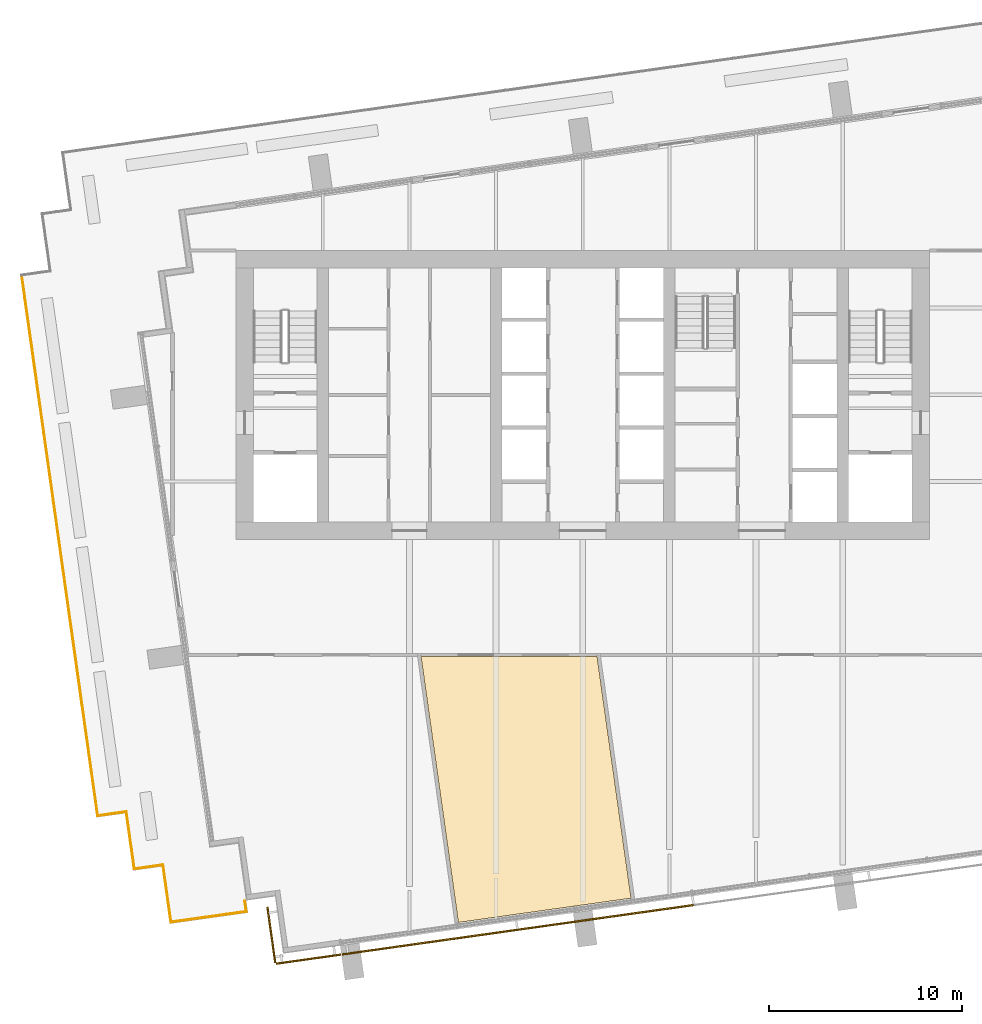
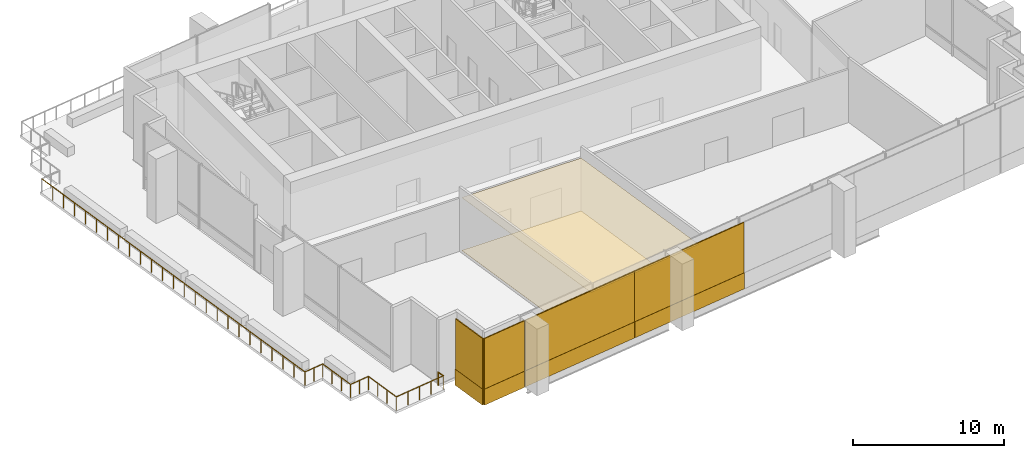
# One storey, part 10 of 18: 10 coverings, 7 railings.
"""IFC4 building model written with IfcOpenShell, lengths in metres."""

from ifc_helpers import new_model, si_unit, direction, frame, origin, origin_2d, place, context, subcontext, project, spatial, polyline, rectangle, outline, extrude, material, layer, layer_set, type_object, element, save


model = new_model("IFC4")

# Units and contexts
model_context = context("Model", 3, precision=1e-05, world=origin(), true_north=direction((0.0, 1.0)))
body_context = subcontext(model_context, "Body", "Model", "MODEL_VIEW")
ifc_project = project(units=[si_unit("LENGTHUNIT", "METRE"), si_unit("AREAUNIT", "SQUARE_METRE"), si_unit("VOLUMEUNIT", "CUBIC_METRE"), si_unit("PLANEANGLEUNIT", "RADIAN"), si_unit("MASSUNIT", "GRAM", prefix="KILO")], contexts=[model_context])

# Site, building, storey
site_placement = place(None, origin())
site = spatial("IfcSite", under=ifc_project, at=site_placement, CompositionType="ELEMENT")
building_placement = place(site_placement, origin())
building = spatial("IfcBuilding", under=site, at=building_placement, Name="Rattan Terrace Tower", CompositionType="ELEMENT")
storey_placement = place(building_placement, frame((0.0, 0.0, 208.10009765625)))
storey = spatial("IfcBuildingStorey", under=building, at=storey_placement, Name="L47", CompositionType="ELEMENT", Elevation=208.10009765625)

# Railings
ifc_material_1 = material(Name="Stainless steel 316", Category="steel")
railing_type = type_object("IfcRailingType", Name="Facade Guard 1100", PredefinedType="GUARDRAIL", material=ifc_material_1)
railing_1_placement = place(storey_placement, frame((-17.541015625, -26.2880859375, 0.0)))
element("IfcRailing", 1, at=railing_1_placement, inside=storey, type_object=railing_type, Name="Terrace guard L47-1-1", PredefinedType="GUARDRAIL", context=body_context, shape_type="SweptSolid", body=[
    extrude(rectangle(XDim=0.048095703125, YDim=0.048095703125, at=origin_2d()), frame((0.0, 0.0, 1.076171875), z_axis=(0.140535608982, -0.990075624691, 0.0), x_axis=(0.990075624691, 0.140535608982, 0.0)), (0.0, 0.0, 1.0), 0.540283203125),
    extrude(rectangle(XDim=0.0419921875, YDim=0.0419921875, at=origin_2d()), origin(), (0.0, 0.0, 1.0), 1.052001953125),
])
railing_2_placement = place(storey_placement, frame((-17.465087890625, -26.822998046875, 0.0)))
element("IfcRailing", 2, at=railing_2_placement, inside=storey, type_object=railing_type, Name="Terrace guard L47-1-2", PredefinedType="GUARDRAIL", context=body_context, shape_type="SweptSolid", body=[
    extrude(rectangle(XDim=0.048095703125, YDim=0.048095703125, at=origin_2d()), frame((0.0, 0.0, 1.076171875), z_axis=(-0.990283659827, -0.139062119496, 0.0), x_axis=(0.139062119496, -0.990283659827, 0.0)), (0.0, 0.0, 1.0), 1.02880859375),
    extrude(rectangle(XDim=0.048095703125, YDim=0.048095703125, at=origin_2d()), frame((-1.018798828125, -0.14306640625, 1.076171875), z_axis=(-0.990236749674, -0.139395766062, 0.0), x_axis=(0.139395766062, -0.990236749674, 0.0)), (0.0, 0.0, 1.0), 2.919677734375),
    extrude(rectangle(XDim=0.0419921875, YDim=0.0419921875, at=origin_2d()), origin(), (0.0, 0.0, 1.0), 1.052001953125),
    extrude(rectangle(XDim=0.0419921875, YDim=0.0419921875, at=origin_2d()), frame((-1.018798828125, -0.14306640625, 0.0)), (0.0, 0.0, 1.0), 1.052001953125),
    extrude(rectangle(XDim=0.0419921875, YDim=0.0419921875, at=origin_2d()), frame((-1.982421875, -0.27880859375, 0.0)), (0.0, 0.0, 1.0), 1.052001953125),
    extrude(rectangle(XDim=0.0419921875, YDim=0.0419921875, at=origin_2d()), frame((-2.9462890625, -0.414306640625, 0.0)), (0.0, 0.0, 1.0), 1.052001953125),
])
railing_3_placement = place(storey_placement, frame((-21.375, -27.373046875, 0.0)))
element("IfcRailing", 3, at=railing_3_placement, inside=storey, type_object=railing_type, Name="Terrace guard L47-1-3", PredefinedType="GUARDRAIL", context=body_context, shape_type="SweptSolid", body=[
    extrude(rectangle(XDim=0.048095703125, YDim=0.048095703125, at=origin_2d()), frame((0.0, 0.0, 1.076171875), z_axis=(-0.139313431826, 0.990248336385, 0.0), x_axis=(-0.990248336385, -0.139313431826, 0.0)), (0.0, 0.0, 1.0), 3.000244140625),
    extrude(rectangle(XDim=0.0419921875, YDim=0.0419921875, at=origin_2d()), origin(), (0.0, 0.0, 1.0), 1.052001953125),
    extrude(rectangle(XDim=0.0419921875, YDim=0.0419921875, at=origin_2d()), frame((-0.139404296875, 0.990234375, 0.0)), (0.0, 0.0, 1.0), 1.052001953125),
    extrude(rectangle(XDim=0.0419921875, YDim=0.0419921875, at=origin_2d()), frame((-0.278564453125, 1.980712890625, 0.0)), (0.0, 0.0, 1.0), 1.052001953125),
])
railing_4_placement = place(storey_placement, frame((-21.79296875, -24.402099609375, 0.0)))
element("IfcRailing", 4, at=railing_4_placement, inside=storey, type_object=railing_type, Name="Terrace guard L47-1-4", PredefinedType="GUARDRAIL", context=body_context, shape_type="SweptSolid", body=[
    extrude(rectangle(XDim=0.048095703125, YDim=0.048095703125, at=origin_2d()), frame((0.0, 0.0, 1.076171875), z_axis=(-0.990243596651, -0.13934711799, 0.0), x_axis=(0.13934711799, -0.990243596651, 0.0)), (0.0, 0.0, 1.0), 1.499755859375),
    extrude(rectangle(XDim=0.0419921875, YDim=0.0419921875, at=origin_2d()), origin(), (0.0, 0.0, 1.0), 1.052001953125),
    extrude(rectangle(XDim=0.0419921875, YDim=0.0419921875, at=origin_2d()), frame((-0.74267578125, -0.1044921875, 0.0)), (0.0, 0.0, 1.0), 1.052001953125),
])
railing_5_placement = place(storey_placement, frame((-23.278076171875, -24.611083984375, 0.0)))
element("IfcRailing", 5, at=railing_5_placement, inside=storey, type_object=railing_type, Name="Terrace guard L47-1-5", PredefinedType="GUARDRAIL", context=body_context, shape_type="SweptSolid", body=[
    extrude(rectangle(XDim=0.048095703125, YDim=0.048095703125, at=origin_2d()), frame((0.0, 0.0, 1.076171875), z_axis=(-0.139302206688, 0.990249915532, 0.0), x_axis=(-0.990249915532, -0.139302206688, 0.0)), (0.0, 0.0, 1.0), 3.00048828125),
    extrude(rectangle(XDim=0.0419921875, YDim=0.0419921875, at=origin_2d()), origin(), (0.0, 0.0, 1.0), 1.052001953125),
    extrude(rectangle(XDim=0.0419921875, YDim=0.0419921875, at=origin_2d()), frame((-0.139404296875, 0.990478515625, 0.0)), (0.0, 0.0, 1.0), 1.052001953125),
    extrude(rectangle(XDim=0.0419921875, YDim=0.0419921875, at=origin_2d()), frame((-0.278564453125, 1.980712890625, 0.0)), (0.0, 0.0, 1.0), 1.052001953125),
])
railing_6_placement = place(storey_placement, frame((-23.696044921875, -21.639892578125, 0.0)))
element("IfcRailing", 6, at=railing_6_placement, inside=storey, type_object=railing_type, Name="Terrace guard L47-1-6", PredefinedType="GUARDRAIL", context=body_context, shape_type="SweptSolid", body=[
    extrude(rectangle(XDim=0.048095703125, YDim=0.048095703125, at=origin_2d()), frame((0.0, 0.0, 1.076171875), z_axis=(-0.990217952567, -0.139529231396, 0.0), x_axis=(0.139529231396, -0.990217952567, 0.0)), (0.0, 0.0, 1.0), 1.49951171875),
    extrude(rectangle(XDim=0.0419921875, YDim=0.0419921875, at=origin_2d()), origin(), (0.0, 0.0, 1.0), 1.052001953125),
    extrude(rectangle(XDim=0.0419921875, YDim=0.0419921875, at=origin_2d()), frame((-0.742431640625, -0.1044921875, 0.0)), (0.0, 0.0, 1.0), 1.052001953125),
])
railing_7_placement = place(storey_placement, frame((-25.180908203125, -21.84912109375, 0.0)))
element("IfcRailing", 7, at=railing_7_placement, inside=storey, type_object=railing_type, Name="Terrace guard L47-1-7", PredefinedType="GUARDRAIL", context=body_context, shape_type="SweptSolid", body=[
    extrude(rectangle(XDim=0.048095703125, YDim=0.048095703125, at=origin_2d()), frame((0.0, 0.0, 1.076171875), z_axis=(-0.139199527658, 0.990264354352, 0.0), x_axis=(-0.990264354352, -0.139199527658, 0.0)), (0.0, 0.0, 1.0), 28.341064453125),
    extrude(rectangle(XDim=0.0419921875, YDim=0.0419921875, at=origin_2d()), origin(), (0.0, 0.0, 1.0), 1.052001953125),
    extrude(rectangle(XDim=0.0419921875, YDim=0.0419921875, at=origin_2d()), frame((-0.164306640625, 1.16943359375, 0.0)), (0.0, 0.0, 1.0), 1.052001953125),
    extrude(rectangle(XDim=0.0419921875, YDim=0.0419921875, at=origin_2d()), frame((-0.328857421875, 2.3388671875, 0.0)), (0.0, 0.0, 1.0), 1.052001953125),
    extrude(rectangle(XDim=0.0419921875, YDim=0.0419921875, at=origin_2d()), frame((-0.4931640625, 3.508056640625, 0.0)), (0.0, 0.0, 1.0), 1.052001953125),
    extrude(rectangle(XDim=0.0419921875, YDim=0.0419921875, at=origin_2d()), frame((-0.657470703125, 4.677490234375, 0.0)), (0.0, 0.0, 1.0), 1.052001953125),
    extrude(rectangle(XDim=0.0419921875, YDim=0.0419921875, at=origin_2d()), frame((-0.82177734375, 5.846923828125, 0.0)), (0.0, 0.0, 1.0), 1.052001953125),
    extrude(rectangle(XDim=0.0419921875, YDim=0.0419921875, at=origin_2d()), frame((-0.986328125, 7.016357421875, 0.0)), (0.0, 0.0, 1.0), 1.052001953125),
    extrude(rectangle(XDim=0.0419921875, YDim=0.0419921875, at=origin_2d()), frame((-1.150634765625, 8.185791015625, 0.0)), (0.0, 0.0, 1.0), 1.052001953125),
    extrude(rectangle(XDim=0.0419921875, YDim=0.0419921875, at=origin_2d()), frame((-1.31494140625, 9.35498046875, 0.0)), (0.0, 0.0, 1.0), 1.052001953125),
    extrude(rectangle(XDim=0.0419921875, YDim=0.0419921875, at=origin_2d()), frame((-1.4794921875, 10.5244140625, 0.0)), (0.0, 0.0, 1.0), 1.052001953125),
    extrude(rectangle(XDim=0.0419921875, YDim=0.0419921875, at=origin_2d()), frame((-1.643798828125, 11.69384765625, 0.0)), (0.0, 0.0, 1.0), 1.052001953125),
    extrude(rectangle(XDim=0.0419921875, YDim=0.0419921875, at=origin_2d()), frame((-1.80810546875, 12.86328125, 0.0)), (0.0, 0.0, 1.0), 1.052001953125),
    extrude(rectangle(XDim=0.0419921875, YDim=0.0419921875, at=origin_2d()), frame((-1.97265625, 14.03271484375, 0.0)), (0.0, 0.0, 1.0), 1.052001953125),
    extrude(rectangle(XDim=0.0419921875, YDim=0.0419921875, at=origin_2d()), frame((-2.136962890625, 15.201904296875, 0.0)), (0.0, 0.0, 1.0), 1.052001953125),
    extrude(rectangle(XDim=0.0419921875, YDim=0.0419921875, at=origin_2d()), frame((-2.30126953125, 16.371337890625, 0.0)), (0.0, 0.0, 1.0), 1.052001953125),
    extrude(rectangle(XDim=0.0419921875, YDim=0.0419921875, at=origin_2d()), frame((-2.465576171875, 17.540771484375, 0.0)), (0.0, 0.0, 1.0), 1.052001953125),
    extrude(rectangle(XDim=0.0419921875, YDim=0.0419921875, at=origin_2d()), frame((-2.630126953125, 18.710205078125, 0.0)), (0.0, 0.0, 1.0), 1.052001953125),
    extrude(rectangle(XDim=0.0419921875, YDim=0.0419921875, at=origin_2d()), frame((-2.79443359375, 19.87939453125, 0.0)), (0.0, 0.0, 1.0), 1.052001953125),
    extrude(rectangle(XDim=0.0419921875, YDim=0.0419921875, at=origin_2d()), frame((-2.958740234375, 21.048828125, 0.0)), (0.0, 0.0, 1.0), 1.052001953125),
    extrude(rectangle(XDim=0.0419921875, YDim=0.0419921875, at=origin_2d()), frame((-3.123291015625, 22.21826171875, 0.0)), (0.0, 0.0, 1.0), 1.052001953125),
    extrude(rectangle(XDim=0.0419921875, YDim=0.0419921875, at=origin_2d()), frame((-3.28759765625, 23.3876953125, 0.0)), (0.0, 0.0, 1.0), 1.052001953125),
    extrude(rectangle(XDim=0.0419921875, YDim=0.0419921875, at=origin_2d()), frame((-3.451904296875, 24.55712890625, 0.0)), (0.0, 0.0, 1.0), 1.052001953125),
    extrude(rectangle(XDim=0.0419921875, YDim=0.0419921875, at=origin_2d()), frame((-3.6162109375, 25.726318359375, 0.0)), (0.0, 0.0, 1.0), 1.052001953125),
    extrude(rectangle(XDim=0.0419921875, YDim=0.0419921875, at=origin_2d()), frame((-3.78076171875, 26.895751953125, 0.0)), (0.0, 0.0, 1.0), 1.052001953125),
])

# Coverings
ifc_material_2 = material(Name="Solid terracotta", Category="masonry")
ifc_layer_1 = layer(ifc_material_2, 0.090087890625)
ifc_layer_set_1 = layer_set([ifc_layer_1], Name="Facade Terracotta Band Panel HZ")
covering_type_1 = type_object("IfcCoveringType", Name="Facade Terracotta Band Panel HZ", PredefinedType="CLADDING", material=ifc_layer_set_1)
covering_1_placement = place(storey_placement, frame((-16.168701171875, -28.035888671875, -0.18994140625), z_axis=(0.0, 0.0, 1.0), x_axis=(0.139321220646, -0.990247240581, 0.0)))
element("IfcCovering", 8, at=covering_1_placement, inside=storey, type_object=covering_type_1, Name="OUTER SKIN panel L47-13A", PredefinedType="CLADDING", context=body_context, shape_type="SweptSolid", body=[
    extrude(rectangle(XDim=2.920166015625, YDim=0.090087890625, at=origin_2d()), origin(), (0.0, 0.0, 1.0), 1.300048828125),
])
covering_2_placement = place(storey_placement, frame((-14.234619140625, -29.294189453125, -0.18994140625), z_axis=(0.0, 0.0, 1.0), x_axis=(0.990293172258, 0.138994363123, 0.0)))
element("IfcCovering", 9, at=covering_2_placement, inside=storey, type_object=covering_type_1, Name="OUTER SKIN panel L47-14A", PredefinedType="CLADDING", context=body_context, shape_type="SweptSolid", body=[
    extrude(rectangle(XDim=3.3701171875, YDim=0.090087890625, at=origin_2d()), origin(), (0.0, 0.0, 1.0), 1.300048828125),
])
covering_3_placement = place(storey_placement, frame((-7.94091796875, -28.409912109375, -0.18994140625), z_axis=(0.0, 0.0, 1.0), x_axis=(0.990267457022, 0.139177453499, 0.0)))
element("IfcCovering", 10, at=covering_3_placement, inside=storey, type_object=covering_type_1, Name="OUTER SKIN panel L47-15A", PredefinedType="CLADDING", context=body_context, shape_type="SweptSolid", body=[
    extrude(rectangle(XDim=9.18115234375, YDim=0.090087890625, at=origin_2d()), origin(), (0.0, 0.0, 1.0), 1.300048828125),
])
covering_4_placement = place(storey_placement, frame((1.185546875, -27.12744140625, -0.18994140625), z_axis=(0.0, 0.0, 1.0), x_axis=(0.990267457022, 0.139177453499, 0.0)))
element("IfcCovering", 11, at=covering_4_placement, inside=storey, type_object=covering_type_1, Name="OUTER SKIN panel L47-16A", PredefinedType="CLADDING", context=body_context, shape_type="SweptSolid", body=[
    extrude(rectangle(XDim=9.2109375, YDim=0.090087890625, at=origin_2d()), origin(), (0.0, 0.0, 1.0), 1.300048828125),
])
ifc_material_3 = material(Name="Perforated terracotta", Category="masonry")
ifc_layer_2 = layer(ifc_material_3, 0.080078125)
ifc_layer_set_2 = layer_set([ifc_layer_2], Name="Facade Terracotta Screen Panel HZ")
covering_type_2 = type_object("IfcCoveringType", Name="Facade Terracotta Screen Panel HZ", PredefinedType="CLADDING", material=ifc_layer_set_2)
covering_5_placement = place(storey_placement, frame((-16.163818359375, -28.03515625, 1.10986328125), z_axis=(0.0, 0.0, 1.0), x_axis=(0.139321220646, -0.990247240581, 0.0)))
element("IfcCovering", 12, at=covering_5_placement, inside=storey, type_object=covering_type_2, Name="OUTER SKIN panel L47-13B", PredefinedType="CLADDING", context=body_context, shape_type="SweptSolid", body=[
    extrude(rectangle(XDim=2.920166015625, YDim=0.080078125, at=origin_2d()), origin(), (0.0, 0.0, 1.0), 4.080078125),
])
covering_6_placement = place(storey_placement, frame((-14.2353515625, -29.289306640625, 1.10986328125), z_axis=(0.0, 0.0, 1.0), x_axis=(0.990293172258, 0.138994363123, 0.0)))
element("IfcCovering", 13, at=covering_6_placement, inside=storey, type_object=covering_type_2, Name="OUTER SKIN panel L47-14B", PredefinedType="CLADDING", context=body_context, shape_type="SweptSolid", body=[
    extrude(rectangle(XDim=3.3701171875, YDim=0.080078125, at=origin_2d()), origin(), (0.0, 0.0, 1.0), 4.080078125),
])
covering_7_placement = place(storey_placement, frame((-7.941650390625, -28.405029296875, 1.10986328125), z_axis=(0.0, 0.0, 1.0), x_axis=(0.990267457022, 0.139177453499, 0.0)))
element("IfcCovering", 14, at=covering_7_placement, inside=storey, type_object=covering_type_2, Name="OUTER SKIN panel L47-15B", PredefinedType="CLADDING", context=body_context, shape_type="SweptSolid", body=[
    extrude(rectangle(XDim=9.18115234375, YDim=0.080078125, at=origin_2d()), origin(), (0.0, 0.0, 1.0), 4.080078125),
])
covering_8_placement = place(storey_placement, frame((1.184814453125, -27.122314453125, 1.10986328125), z_axis=(0.0, 0.0, 1.0), x_axis=(0.990267457022, 0.139177453499, 0.0)))
element("IfcCovering", 15, at=covering_8_placement, inside=storey, type_object=covering_type_2, Name="OUTER SKIN panel L47-16B", PredefinedType="CLADDING", context=body_context, shape_type="SweptSolid", body=[
    extrude(rectangle(XDim=9.2109375, YDim=0.080078125, at=origin_2d()), origin(), (0.0, 0.0, 1.0), 4.080078125),
])
ifc_material_4 = material(Name="Polished limestone", Category="masonry")
ifc_layer_3 = layer(ifc_material_4, 0.02001953125)
ifc_layer_set_3 = layer_set([ifc_layer_3], Name="Lobby Floor Finish Stone 20")
covering_type_3 = type_object("IfcCoveringType", Name="Lobby Floor Finish Stone 20", PredefinedType="FLOORING", material=ifc_layer_set_3)
covering_9_placement = place(storey_placement, origin())
element("IfcCovering", 16, at=covering_9_placement, inside=storey, type_object=covering_type_3, Name="Floor finish L47-102", PredefinedType="FLOORING", context=body_context, shape_type="SweptSolid", body=[
    extrude(outline(polyline([(-8.39599609375, -13.574951171875), (-6.4560546875, -27.387939453125), (2.507080078125, -26.12890625), (0.741943359375, -13.574951171875), (-8.39599609375, -13.574951171875)])), origin(), (0.0, 0.0, 1.0), 0.02001953125),
])
ifc_material_5 = material(Name="Gypsum board, painted")
ifc_layer_4 = layer(ifc_material_5, 0.02490234375)
ifc_layer_set_4 = layer_set([ifc_layer_4], Name="Suspended Ceiling Gypsum 25")
covering_type_4 = type_object("IfcCoveringType", Name="Suspended Ceiling Gypsum 25", PredefinedType="CEILING", material=ifc_layer_set_4)
covering_10_placement = place(storey_placement, frame((0.0, 0.0, 4.27490234375)))
element("IfcCovering", 17, at=covering_10_placement, inside=storey, type_object=covering_type_4, Name="Ceiling L47-102", PredefinedType="CEILING", context=body_context, shape_type="SweptSolid", body=[
    extrude(outline(polyline([(-8.39599609375, -13.574951171875), (-6.4560546875, -27.387939453125), (2.507080078125, -26.12890625), (0.741943359375, -13.574951171875), (-8.39599609375, -13.574951171875)])), origin(), (0.0, 0.0, 1.0), 0.02490234375),
])

save(model, "model.ifc")
